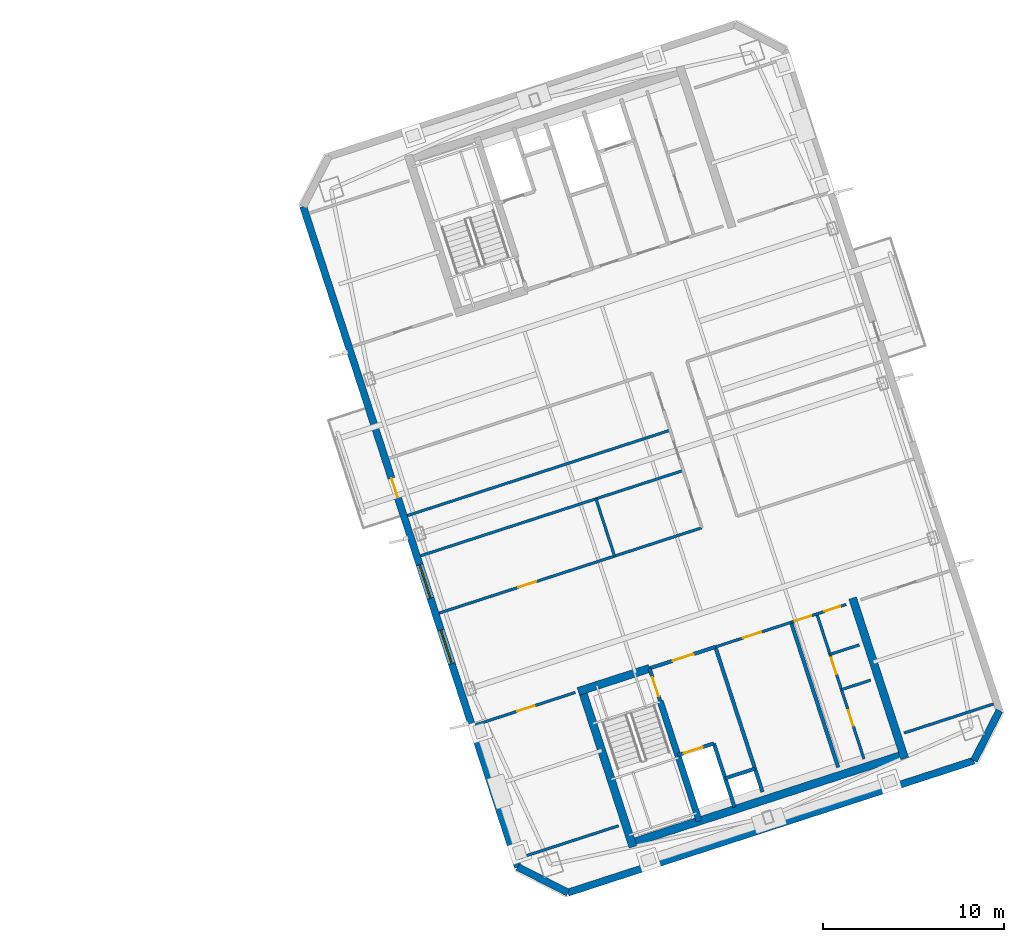
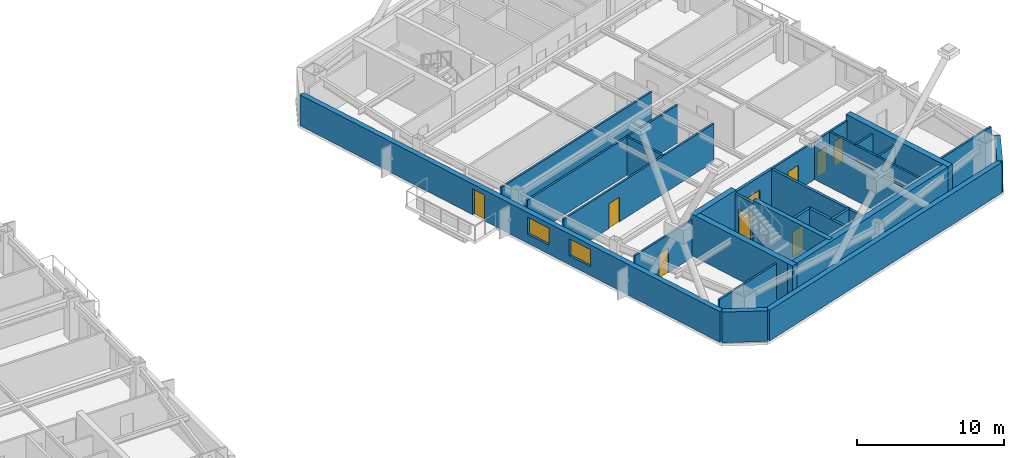
# One storey, part 9 of 18: 28 walls, 11 doors, 2 windows, 13 openings.
"""IFC4 building model written with IfcOpenShell, lengths in metres."""

from ifc_helpers import new_model, si_unit, direction, frame, frame_2d, origin, place, context, subcontext, project, spatial, rectangle, extrude, material, layer, layer_set, type_object, element, fill, save


model = new_model("IFC4")

# Units and contexts
model_context = context("Model", 3, precision=1e-05, world=origin(), true_north=direction((0.0, 1.0)))
body_context = subcontext(model_context, "Body", "Model", "MODEL_VIEW")
ifc_project = project(units=[si_unit("LENGTHUNIT", "METRE"), si_unit("AREAUNIT", "SQUARE_METRE"), si_unit("VOLUMEUNIT", "CUBIC_METRE"), si_unit("PLANEANGLEUNIT", "RADIAN"), si_unit("MASSUNIT", "GRAM", prefix="KILO")], contexts=[model_context])

# Site, building, storey
site_placement = place(None, origin())
site = spatial("IfcSite", under=ifc_project, at=site_placement, CompositionType="ELEMENT")
building_placement = place(site_placement, origin())
building = spatial("IfcBuilding", under=site, at=building_placement, Name="Qiaolan Cultural Towers", CompositionType="ELEMENT")
storey_placement = place(building_placement, frame((0.0, 0.0, 226.550048828125)))
storey = spatial("IfcBuildingStorey", under=building, at=storey_placement, Name="L61", CompositionType="ELEMENT", Elevation=226.550048828125)

# Walls
ifc_material_1 = material(Name="Concrete C50", Category="concrete")
ifc_layer_1 = layer(ifc_material_1, 0.35009765625)
ifc_layer_set_1 = layer_set([ifc_layer_1], Name="Concrete C50")
wall_type_1 = type_object("IfcWallType", Name="WL-CORE-350", PredefinedType="SHEAR", material=ifc_layer_set_1)
wall_1_placement = place(storey_placement, frame((90.486328125, 20.59423828125, 0.0), z_axis=(0.0, 0.0, 1.0), x_axis=(0.309020428229, -0.951055400562, 0.0)))
element("IfcWall", 1, at=wall_1_placement, inside=storey, type_object=wall_type_1, Name="L61 T2-CS Stair Core Dividing Web", PredefinedType="SHEAR", context=body_context, shape_type="SweptSolid", body=[
    extrude(rectangle(XDim=6.97998046875, YDim=0.35009765625, at=frame_2d((3.489990234375, 0.0))), origin(), (0.0, 0.0, 1.0), 3.449951171875),
])
ifc_material_2 = material(Name="Concrete C50", Category="concrete")
ifc_layer_2 = layer(ifc_material_2, 0.449951171875)
ifc_layer_set_2 = layer_set([ifc_layer_2], Name="Concrete C50")
wall_type_2 = type_object("IfcWallType", Name="WL-CORE-450", PredefinedType="SHEAR", material=ifc_layer_set_2)
wall_2_placement = place(storey_placement, frame((88.701171875, 12.675048828125, 0.0), z_axis=(0.0, 0.0, 1.0), x_axis=(0.95105824505, 0.309011673763, 0.0)))
element("IfcWall", 2, at=wall_2_placement, inside=storey, type_object=wall_type_2, Name="L61 T2-CS Outer Core Shear Wall", PredefinedType="SHEAR", context=body_context, shape_type="SweptSolid", body=[
    extrude(rectangle(XDim=16.250244140625, YDim=0.449951171875, at=frame_2d((8.125, 0.0))), origin(), (0.0, 0.0, 1.0), 3.449951171875),
])
for number, where, z_axis, x_axis, name in (
    (3, (86.1015625, 21.40380859375, 0.0), (0.0, 0.0, 1.0), (0.309035778627, -0.951050412717, 0.0), "L61 T2-CS West Core Shear Wall"),
    (4, (101.12841796875, 26.286376953125, 0.0), (0.0, 0.0, 1.0), (0.309004419953, -0.951060601881, 0.0), "L61 T2-CS East Core Shear Wall"),
):
    element("IfcWall", number, at=place(storey_placement, frame(where, z_axis=z_axis, x_axis=x_axis)), inside=storey, type_object=wall_type_2, Name=name, PredefinedType="SHEAR", context=body_context, shape_type="SweptSolid", body=[
        extrude(rectangle(XDim=9.330078125, YDim=0.449951171875, at=frame_2d((4.6650390625, 0.0))), origin(), (0.0, 0.0, 1.0), 3.449951171875),
    ])
wall_3_placement = place(storey_placement, frame((85.957275390625, 21.120361328125, 0.0), z_axis=(0.0, 0.0, 1.0), x_axis=(0.951064796122, 0.308991510526, 0.0)))
element("IfcWall", 5, at=wall_3_placement, inside=storey, type_object=wall_type_2, Name="L61 T2-CS Stair Front Shear Wall", PredefinedType="SHEAR", context=body_context, shape_type="SweptSolid", body=[
    extrude(rectangle(XDim=4.14501953125, YDim=0.449951171875, at=frame_2d((2.072509765625, 0.0))), origin(), (0.0, 0.0, 1.0), 3.449951171875),
])

# Wall, openings, door, windows
ifc_material_3 = material(Name="Precast Concrete C50 Honed Stone Pier", Category="masonry")
ifc_layer_3 = layer(ifc_material_3, 0.39990234375)
ifc_layer_set_3 = layer_set([ifc_layer_3], Name="Precast Concrete C50 Honed Stone Pier")
wall_type_3 = type_object("IfcWallType", Name="WL-EXT-PIER-400", PredefinedType="SOLIDWALL", material=ifc_layer_set_3)
wall_4_placement = place(storey_placement, frame((82.618408203125, 11.41357421875, 0.0), z_axis=(0.0, 0.0, 1.0), x_axis=(-0.309016491071, 0.951056679828, 0.0)))
wall_4 = element("IfcWall", 6, at=wall_4_placement, inside=storey, type_object=wall_type_3, Name="L61 East Tower Precast Pier Facade Wall F1", PredefinedType="SOLIDWALL", context=body_context, shape_type="SweptSolid", body=[
    extrude(rectangle(XDim=38.39990234375, YDim=0.39990234375, at=frame_2d((19.199951171875, 0.0))), origin(), (0.0, 0.0, 1.0), 2.550048828125),
])
opening_1_placement = place(wall_4_placement, frame((11.824951171875, 0.0, 0.75)))
opening_1 = element("IfcOpeningElement", 7, at=opening_1_placement, cuts=wall_4, Name="Opening W-06", PredefinedType="OPENING", context=body_context, shape_type="SweptSolid", body=[
    extrude(rectangle(XDim=1.949951171875, YDim=1.39990234375, at=frame_2d((0.97509765625, 0.699951171875))), frame((0.0, 0.2099609375, 0.0), z_axis=(0.0, -1.0, 0.0), x_axis=(1.0, 0.0, 0.0)), (0.0, 0.0, 1.0), 0.419921875),
])
opening_2_placement = place(wall_4_placement, frame((15.625, 0.0, 0.75)))
opening_2 = element("IfcOpeningElement", 8, at=opening_2_placement, cuts=wall_4, Name="Opening W-06", PredefinedType="OPENING", context=body_context, shape_type="SweptSolid", body=[
    extrude(rectangle(XDim=1.949951171875, YDim=1.39990234375, at=frame_2d((0.97509765625, 0.699951171875))), frame((0.0, 0.2099609375, 0.0), z_axis=(0.0, -1.0, 0.0), x_axis=(1.0, 0.0, 0.0)), (0.0, 0.0, 1.0), 0.419921875),
])
opening_3_placement = place(wall_4_placement, frame((21.5, 0.0, 0.0)))
opening_3 = element("IfcOpeningElement", 9, at=opening_3_placement, cuts=wall_4, Name="Opening BD-01", PredefinedType="OPENING", context=body_context, shape_type="SweptSolid", body=[
    extrude(rectangle(XDim=1.10009765625, YDim=2.14990234375, at=frame_2d((0.550048828125, 1.074951171875))), frame((0.0, 0.2099609375, 0.0), z_axis=(0.0, -1.0, 0.0), x_axis=(1.0, 0.0, 0.0)), (0.0, 0.0, 1.0), 0.419921875),
])
ifc_material_4 = material(Name="Thermally Broken Aluminium Glazed Terrace Door", Category="aluminium")
door_type_1 = type_object("IfcDoorType", Name="DR-BAL-1100", OperationType="NOTDEFINED", PredefinedType="DOOR", material=ifc_material_4)
door_1_placement = place(opening_3_placement, origin())
door_1 = element("IfcDoor", 10, at=door_1_placement, inside=storey, type_object=door_type_1, Name="L61 T2 West Tree Balcony Door", OperationType="SINGLE_SWING_LEFT", OverallHeight=2.14990234375, OverallWidth=1.10009765625, PredefinedType="DOOR", context=body_context, shape_type="SweptSolid", body=[
    extrude(rectangle(XDim=1.10009765625, YDim=2.14990234375, at=frame_2d((0.550048828125, 1.074951171875))), frame((0.0, 0.02490234375, 0.0), z_axis=(0.0, -1.0, 0.0), x_axis=(1.0, 0.0, 0.0)), (0.0, 0.0, 1.0), 0.050048828125),
])
fill(opening_3, door_1)
ifc_material_5 = material(Name="Thermally Broken Aluminium Triple Low-E Glazing", Category="aluminium")
window_type = type_object("IfcWindowType", Name="WN-CHIC-1950", PartitioningType="SINGLE_PANEL", PredefinedType="WINDOW", material=ifc_material_5)
window_1_placement = place(opening_1_placement, origin())
window_1 = element("IfcWindow", 11, at=window_1_placement, inside=storey, type_object=window_type, Name="L61 T2 W Chicago Bay Window 1", OverallHeight=1.39990234375, OverallWidth=1.949951171875, PartitioningType="TRIPLE_PANEL_VERTICAL", PredefinedType="WINDOW", context=body_context, shape_type="SweptSolid", body=[
    extrude(rectangle(XDim=1.949951171875, YDim=1.39990234375, at=frame_2d((0.97509765625, 0.699951171875))), frame((0.0, 0.030029296875, 0.0), z_axis=(0.0, -1.0, 0.0), x_axis=(1.0, 0.0, 0.0)), (0.0, 0.0, 1.0), 0.06005859375),
])
fill(opening_1, window_1)
window_2_placement = place(opening_2_placement, origin())
window_2 = element("IfcWindow", 12, at=window_2_placement, inside=storey, type_object=window_type, Name="L61 T2 W Chicago Bay Window 2", OverallHeight=1.39990234375, OverallWidth=1.949951171875, PartitioningType="TRIPLE_PANEL_VERTICAL", PredefinedType="WINDOW", context=body_context, shape_type="SweptSolid", body=[
    extrude(rectangle(XDim=1.949951171875, YDim=1.39990234375, at=frame_2d((0.97509765625, 0.699951171875))), frame((0.0, 0.030029296875, 0.0), z_axis=(0.0, -1.0, 0.0), x_axis=(1.0, 0.0, 0.0)), (0.0, 0.0, 1.0), 0.06005859375),
])
fill(opening_2, window_2)

# Walls
wall_5_placement = place(storey_placement, frame((109.247802734375, 20.06591796875, 0.0), z_axis=(0.0, 0.0, 1.0), x_axis=(-0.453949291228, -0.891027519774, 0.0)))
element("IfcWall", 13, at=wall_5_placement, inside=storey, type_object=wall_type_3, Name="L61 East Tower Precast Pier Facade Wall F6", PredefinedType="SOLIDWALL", context=body_context, shape_type="SweptSolid", body=[
    extrude(rectangle(XDim=3.111328125, YDim=0.39990234375, at=frame_2d((1.5556640625, 0.0))), origin(), (0.0, 0.0, 1.0), 2.550048828125),
])
wall_6_placement = place(storey_placement, frame((107.83544921875, 17.293701171875, 0.0), z_axis=(0.0, 0.0, 1.0), x_axis=(-0.951058012937, -0.309012388148, 0.0)))
element("IfcWall", 14, at=wall_6_placement, inside=storey, type_object=wall_type_3, Name="L61 East Tower Precast Pier Facade Wall F7", PredefinedType="SOLIDWALL", context=body_context, shape_type="SweptSolid", body=[
    extrude(rectangle(XDim=23.60009765625, YDim=0.39990234375, at=frame_2d((11.800048828125, 0.0))), origin(), (0.0, 0.0, 1.0), 2.550048828125),
])
wall_7_placement = place(storey_placement, frame((85.390380859375, 10.0009765625, 0.0), z_axis=(0.0, 0.0, 1.0), x_axis=(-0.890979603174, 0.454043331334, 0.0)))
element("IfcWall", 15, at=wall_7_placement, inside=storey, type_object=wall_type_3, Name="L61 East Tower Precast Pier Facade Wall F8", PredefinedType="SOLIDWALL", context=body_context, shape_type="SweptSolid", body=[
    extrude(rectangle(XDim=3.111083984375, YDim=0.39990234375, at=frame_2d((1.5556640625, 0.0))), origin(), (0.0, 0.0, 1.0), 2.550048828125),
])

# Wall, opening, door
ifc_material_6 = material(Name="Concrete C35 Fire Wall", Category="concrete")
ifc_layer_4 = layer(ifc_material_6, 0.199951171875)
ifc_layer_set_4 = layer_set([ifc_layer_4], Name="Concrete C35 Fire Wall")
wall_type_4 = type_object("IfcWallType", Name="WL-FIRE-200", PredefinedType="PARTITIONING", material=ifc_layer_set_4)
wall_8_placement = place(storey_placement, frame((89.8994140625, 22.401123046875, 0.0), z_axis=(0.0, 0.0, 1.0), x_axis=(0.308932062672, -0.951084108086, 0.0)))
wall_8 = element("IfcWall", 16, at=wall_8_placement, inside=storey, type_object=wall_type_4, Name="L61 T2-CS Smokeproof Stair Entry Wall", PredefinedType="PARTITIONING", context=body_context, shape_type="SweptSolid", body=[
    extrude(rectangle(XDim=1.89990234375, YDim=0.199951171875, at=frame_2d((0.949951171875, 0.0))), origin(), (0.0, 0.0, 1.0), 3.155029296875),
])
opening_4_placement = place(wall_8_placement, frame((0.52001953125, 0.0, 0.0)))
opening_4 = element("IfcOpeningElement", 17, at=opening_4_placement, cuts=wall_8, Name="Opening FD-04", PredefinedType="OPENING", context=body_context, shape_type="SweptSolid", body=[
    extrude(rectangle(XDim=1.10009765625, YDim=2.050048828125, at=frame_2d((0.550048828125, 1.02490234375))), frame((0.0, 0.10986328125, 0.0), z_axis=(0.0, -1.0, 0.0), x_axis=(1.0, 0.0, 0.0)), (0.0, 0.0, 1.0), 0.219970703125),
])
ifc_material_7 = material(Name="Galvanized Steel Command Fire Door", Category="steel")
door_type_2 = type_object("IfcDoorType", Name="DR-FD90-1100", OperationType="NOTDEFINED", PredefinedType="DOOR", material=ifc_material_7)
door_2_placement = place(opening_4_placement, origin())
door_2 = element("IfcDoor", 18, at=door_2_placement, inside=storey, type_object=door_type_2, Name="L61 ST-E1 Smokeproof Stair Fire Door", OperationType="SINGLE_SWING_LEFT", OverallHeight=2.050048828125, OverallWidth=1.10009765625, PredefinedType="DOOR", context=body_context, shape_type="SweptSolid", body=[
    extrude(rectangle(XDim=1.10009765625, YDim=2.050048828125, at=frame_2d((0.550048828125, 1.02490234375))), frame((0.0, 0.02490234375, 0.0), z_axis=(0.0, -1.0, 0.0), x_axis=(1.0, 0.0, 0.0)), (0.0, 0.0, 1.0), 0.050048828125),
])
fill(opening_4, door_2)

# Wall
wall_9_placement = place(storey_placement, frame((93.541748046875, 23.584716796875, 0.0), z_axis=(0.0, 0.0, 1.0), x_axis=(0.309042196757, -0.951048327176, 0.0)))
element("IfcWall", 19, at=wall_9_placement, inside=storey, type_object=wall_type_4, Name="L61 T2-CS Firefighting Zone Wall", PredefinedType="PARTITIONING", context=body_context, shape_type="SweptSolid", body=[
    extrude(rectangle(XDim=8.429931640625, YDim=0.199951171875, at=frame_2d((4.21484375, 0.0))), origin(), (0.0, 0.0, 1.0), 3.155029296875),
])

# Wall, opening, door
wall_10_placement = place(storey_placement, frame((89.8994140625, 22.401123046875, 0.0), z_axis=(0.0, 0.0, 1.0), x_axis=(0.951046716504, 0.309047153403, 0.0)))
wall_10 = element("IfcWall", 20, at=wall_10_placement, inside=storey, type_object=wall_type_4, Name="L61 T2-CS Firefighting Lobby Front Wall", PredefinedType="PARTITIONING", context=body_context, shape_type="SweptSolid", body=[
    extrude(rectangle(XDim=3.829833984375, YDim=0.199951171875, at=frame_2d((1.9150390625, 0.0))), origin(), (0.0, 0.0, 1.0), 3.155029296875),
])
opening_5_placement = place(wall_10_placement, frame((1.35009765625, 0.0, 0.0)))
opening_5 = element("IfcOpeningElement", 21, at=opening_5_placement, cuts=wall_10, Name="Opening FD-03", PredefinedType="OPENING", context=body_context, shape_type="SweptSolid", body=[
    extrude(rectangle(XDim=1.199951171875, YDim=2.050048828125, at=frame_2d((0.60009765625, 1.02490234375))), frame((0.0, 0.10986328125, 0.0), z_axis=(0.0, -1.0, 0.0), x_axis=(1.0, 0.0, 0.0)), (0.0, 0.0, 1.0), 0.219970703125),
])
ifc_material_8 = material(Name="Galvanized Steel Smokeproof Lobby Fire Door", Category="steel")
door_type_3 = type_object("IfcDoorType", Name="DR-FD90-1200", OperationType="NOTDEFINED", PredefinedType="DOOR", material=ifc_material_8)
door_3_placement = place(opening_5_placement, origin())
door_3 = element("IfcDoor", 22, at=door_3_placement, inside=storey, type_object=door_type_3, Name="L61 FFL-E1 Firefighting Lobby Fire Door", OperationType="SINGLE_SWING_LEFT", OverallHeight=2.050048828125, OverallWidth=1.199951171875, PredefinedType="DOOR", context=body_context, shape_type="SweptSolid", body=[
    extrude(rectangle(XDim=1.199951171875, YDim=2.050048828125, at=frame_2d((0.60009765625, 1.02490234375))), frame((0.0, 0.02490234375, 0.0), z_axis=(0.0, -1.0, 0.0), x_axis=(1.0, 0.0, 0.0)), (0.0, 0.0, 1.0), 0.050048828125),
])
fill(opening_5, door_3)

wall_11_placement = place(storey_placement, frame((91.459716796875, 17.598388671875, 0.0), z_axis=(0.0, 0.0, 1.0), x_axis=(0.951062257173, 0.308999325213, 0.0)))
wall_11 = element("IfcWall", 23, at=wall_11_placement, inside=storey, type_object=wall_type_4, Name="L61 T2-CS Firefighting Shaft Front Wall", PredefinedType="PARTITIONING", context=body_context, shape_type="SweptSolid", body=[
    extrude(rectangle(XDim=2.10009765625, YDim=0.199951171875, at=frame_2d((1.050048828125, 0.0))), origin(), (0.0, 0.0, 1.0), 3.155029296875),
])
opening_6_placement = place(wall_11_placement, frame((0.35009765625, 0.0, 0.0)))
opening_6 = element("IfcOpeningElement", 24, at=opening_6_placement, cuts=wall_11, Name="Opening LD-01", PredefinedType="OPENING", context=body_context, shape_type="SweptSolid", body=[
    extrude(rectangle(XDim=1.10009765625, YDim=2.050048828125, at=frame_2d((0.550048828125, 1.02490234375))), frame((0.0, 0.10986328125, 0.0), z_axis=(0.0, -1.0, 0.0), x_axis=(1.0, 0.0, 0.0)), (0.0, 0.0, 1.0), 0.219970703125),
])
ifc_material_9 = material(Name="Brushed Stainless Steel S30408 Centre-Parting Lift Landing Door", Category="steel")
door_type_4 = type_object("IfcDoorType", Name="DR-LIFT-1100", OperationType="NOTDEFINED", PredefinedType="DOOR", material=ifc_material_9)
door_4_placement = place(opening_6_placement, origin())
door_4 = element("IfcDoor", 25, at=door_4_placement, inside=storey, type_object=door_type_4, Name="L61 FFL-E1 Firefighting Lift Landing Door", OperationType="DOUBLE_DOOR_SLIDING", OverallHeight=2.050048828125, OverallWidth=1.10009765625, PredefinedType="DOOR", context=body_context, shape_type="SweptSolid", body=[
    extrude(rectangle(XDim=1.10009765625, YDim=2.050048828125, at=frame_2d((0.550048828125, 1.02490234375))), frame((0.0, 0.02490234375, 0.0), z_axis=(0.0, -1.0, 0.0), x_axis=(1.0, 0.0, 0.0)), (0.0, 0.0, 1.0), 0.050048828125),
])
fill(opening_6, door_4)

# Walls
wall_12_placement = place(storey_placement, frame((93.45703125, 18.247314453125, 0.0), z_axis=(0.0, 0.0, 1.0), x_axis=(0.3089935693, -0.951064127245, 0.0)))
element("IfcWall", 26, at=wall_12_placement, inside=storey, type_object=wall_type_4, Name="L61 T2-CS Firefighting Hoistway East Wall", PredefinedType="PARTITIONING", context=body_context, shape_type="SweptSolid", body=[
    extrude(rectangle(XDim=3.7001953125, YDim=0.199951171875, at=frame_2d((1.85009765625, 0.0))), origin(), (0.0, 0.0, 1.0), 3.155029296875),
])
wall_13_placement = place(storey_placement, frame((94.08447265625, 16.316650390625, 0.0), z_axis=(0.0, 0.0, 1.0), x_axis=(0.951041328149, 0.309063734775, 0.0)))
element("IfcWall", 27, at=wall_13_placement, inside=storey, type_object=wall_type_4, Name="L61 T2-CS Pressurization Shaft Front Wall", PredefinedType="PARTITIONING", context=body_context, shape_type="SweptSolid", body=[
    extrude(rectangle(XDim=1.72998046875, YDim=0.199951171875, at=frame_2d((0.864990234375, 0.0))), origin(), (0.0, 0.0, 1.0), 3.155029296875),
])
wall_14_placement = place(storey_placement, frame((97.7265625, 24.9443359375, 0.0), z_axis=(0.0, 0.0, 1.0), x_axis=(0.309016001439, -0.951056838919, 0.0)))
element("IfcWall", 28, at=wall_14_placement, inside=storey, type_object=wall_type_4, Name="L61 T2-CS Lift Core East Wall", PredefinedType="PARTITIONING", context=body_context, shape_type="SweptSolid", body=[
    extrude(rectangle(XDim=8.429931640625, YDim=0.199951171875, at=frame_2d((4.21484375, 0.0))), origin(), (0.0, 0.0, 1.0), 3.155029296875),
])

# Wall, opening, door
ifc_material_10 = material(Name="Autoclaved Aerated Concrete Block B06", Category="concrete")
ifc_layer_5 = layer(ifc_material_10, 0.14990234375)
ifc_layer_set_5 = layer_set([ifc_layer_5], Name="Autoclaved Aerated Concrete Block B06")
wall_type_5 = type_object("IfcWallType", Name="WL-PART-150", PredefinedType="PARTITIONING", material=ifc_layer_set_5)
wall_15_placement = place(storey_placement, frame((93.541748046875, 23.584716796875, 0.0), z_axis=(0.0, 0.0, 1.0), x_axis=(0.951063829732, 0.308994485023, 0.0)))
wall_15 = element("IfcWall", 29, at=wall_15_placement, inside=storey, type_object=wall_type_5, Name="L61 T2-CS Reclaimed Core Room Front Wall", PredefinedType="PARTITIONING", context=body_context, shape_type="SweptSolid", body=[
    extrude(rectangle(XDim=4.400146484375, YDim=0.14990234375, at=frame_2d((2.2001953125, 0.0))), origin(), (0.0, 0.0, 1.0), 3.155029296875),
])
opening_7_placement = place(wall_15_placement, frame((1.60009765625, 0.0, 0.0)))
opening_7 = element("IfcOpeningElement", 30, at=opening_7_placement, cuts=wall_15, Name="Opening ID-07", PredefinedType="OPENING", context=body_context, shape_type="SweptSolid", body=[
    extrude(rectangle(XDim=1.050048828125, YDim=2.050048828125, at=frame_2d((0.52490234375, 1.02490234375))), frame((0.0, 0.0849609375, 0.0), z_axis=(0.0, -1.0, 0.0), x_axis=(1.0, 0.0, 0.0)), (0.0, 0.0, 1.0), 0.169921875),
])
ifc_material_11 = material(Name="Oak Veneer Consultation Door", Category="timber")
door_type_5 = type_object("IfcDoorType", Name="DR-INT-1050", OperationType="NOTDEFINED", PredefinedType="DOOR", material=ifc_material_11)
door_5_placement = place(opening_7_placement, origin())
door_5 = element("IfcDoor", 31, at=door_5_placement, inside=storey, type_object=door_type_5, Name="L61 Reclaimed Archive Room Door", OperationType="SINGLE_SWING_LEFT", OverallHeight=2.050048828125, OverallWidth=1.050048828125, PredefinedType="DOOR", context=body_context, shape_type="SweptSolid", body=[
    extrude(rectangle(XDim=1.050048828125, YDim=2.050048828125, at=frame_2d((0.52490234375, 1.02490234375))), frame((0.0, 0.02490234375, 0.0), z_axis=(0.0, -1.0, 0.0), x_axis=(1.0, 0.0, 0.0)), (0.0, 0.0, 1.0), 0.050048828125),
])
fill(opening_7, door_5)

# Wall, openings, doors
wall_16_placement = place(storey_placement, frame((97.7265625, 24.9443359375, 0.0), z_axis=(0.0, 0.0, 1.0), x_axis=(0.951036872128, 0.309077446369, 0.0)))
wall_16 = element("IfcWall", 32, at=wall_16_placement, inside=storey, type_object=wall_type_5, Name="L61 T2-CS Sanitary Core Front Wall", PredefinedType="PARTITIONING", context=body_context, shape_type="SweptSolid", body=[
    extrude(rectangle(XDim=3.199951171875, YDim=0.14990234375, at=frame_2d((1.60009765625, 0.0))), origin(), (0.0, 0.0, 1.0), 3.155029296875),
])
opening_8_placement = place(wall_16_placement, frame((0.219970703125, 0.0, 0.0)))
opening_8 = element("IfcOpeningElement", 33, at=opening_8_placement, cuts=wall_16, Name="Opening ID-05", PredefinedType="OPENING", context=body_context, shape_type="SweptSolid", body=[
    extrude(rectangle(XDim=0.949951171875, YDim=2.050048828125, at=frame_2d((0.47509765625, 1.02490234375))), frame((0.0, 0.0849609375, 0.0), z_axis=(0.0, -1.0, 0.0), x_axis=(1.0, 0.0, 0.0)), (0.0, 0.0, 1.0), 0.169921875),
])
opening_9_placement = place(wall_16_placement, frame((1.949951171875, 0.0, 0.0)))
opening_9 = element("IfcOpeningElement", 34, at=opening_9_placement, cuts=wall_16, Name="Opening ID-06", PredefinedType="OPENING", context=body_context, shape_type="SweptSolid", body=[
    extrude(rectangle(XDim=0.89990234375, YDim=2.050048828125, at=frame_2d((0.449951171875, 1.02490234375))), frame((0.0, 0.0849609375, 0.0), z_axis=(0.0, -1.0, 0.0), x_axis=(1.0, 0.0, 0.0)), (0.0, 0.0, 1.0), 0.169921875),
])
ifc_material_12 = material(Name="Fire-Rated Laminate Core Service Door", Category="timber")
door_type_6 = type_object("IfcDoorType", Name="DR-INT-900", OperationType="NOTDEFINED", PredefinedType="DOOR", material=ifc_material_12)
door_6_placement = place(opening_9_placement, origin())
door_6 = element("IfcDoor", 35, at=door_6_placement, inside=storey, type_object=door_type_6, Name="L61 Core Tea Pantry Door", OperationType="SINGLE_SWING_RIGHT", OverallHeight=2.050048828125, OverallWidth=0.89990234375, PredefinedType="DOOR", context=body_context, shape_type="SweptSolid", body=[
    extrude(rectangle(XDim=0.89990234375, YDim=2.050048828125, at=frame_2d((0.449951171875, 1.02490234375))), frame((0.0, 0.02490234375, 0.0), z_axis=(0.0, -1.0, 0.0), x_axis=(1.0, 0.0, 0.0)), (0.0, 0.0, 1.0), 0.050048828125),
])
fill(opening_9, door_6)
ifc_material_13 = material(Name="Fire-Rated Laminate Accessible Core Door", Category="timber")
door_type_7 = type_object("IfcDoorType", Name="DR-INT-950", OperationType="NOTDEFINED", PredefinedType="DOOR", material=ifc_material_13)
door_7_placement = place(opening_8_placement, origin())
door_7 = element("IfcDoor", 36, at=door_7_placement, inside=storey, type_object=door_type_7, Name="L61 Sanitary Passage Door", OperationType="SINGLE_SWING_LEFT", OverallHeight=2.050048828125, OverallWidth=0.949951171875, PredefinedType="DOOR", context=body_context, shape_type="SweptSolid", body=[
    extrude(rectangle(XDim=0.949951171875, YDim=2.050048828125, at=frame_2d((0.47509765625, 1.02490234375))), frame((0.0, 0.02490234375, 0.0), z_axis=(0.0, -1.0, 0.0), x_axis=(1.0, 0.0, 0.0)), (0.0, 0.0, 1.0), 0.050048828125),
])
fill(opening_8, door_7)

wall_17_placement = place(storey_placement, frame((99.153076171875, 25.407958984375, 0.0), z_axis=(0.0, 0.0, 1.0), x_axis=(0.309016001439, -0.951056838919, 0.0)))
wall_17 = element("IfcWall", 37, at=wall_17_placement, inside=storey, type_object=wall_type_5, Name="L61 T2-CS Sanitary Corridor Wall", PredefinedType="PARTITIONING", context=body_context, shape_type="SweptSolid", body=[
    extrude(rectangle(XDim=8.429931640625, YDim=0.14990234375, at=frame_2d((4.21484375, 0.0))), origin(), (0.0, 0.0, 1.0), 3.155029296875),
])
opening_10_placement = place(wall_17_placement, frame((2.550048828125, 0.0, 0.0)))
opening_10 = element("IfcOpeningElement", 38, at=opening_10_placement, cuts=wall_17, Name="Opening ID-05", PredefinedType="OPENING", context=body_context, shape_type="SweptSolid", body=[
    extrude(rectangle(XDim=0.949951171875, YDim=2.050048828125, at=frame_2d((0.47509765625, 1.02490234375))), frame((0.0, 0.0849609375, 0.0), z_axis=(0.0, -1.0, 0.0), x_axis=(1.0, 0.0, 0.0)), (0.0, 0.0, 1.0), 0.169921875),
])
opening_11_placement = place(wall_17_placement, frame((5.60009765625, 0.0, 0.0)))
opening_11 = element("IfcOpeningElement", 39, at=opening_11_placement, cuts=wall_17, Name="Opening ID-06", PredefinedType="OPENING", context=body_context, shape_type="SweptSolid", body=[
    extrude(rectangle(XDim=0.89990234375, YDim=2.050048828125, at=frame_2d((0.449951171875, 1.02490234375))), frame((0.0, 0.0849609375, 0.0), z_axis=(0.0, -1.0, 0.0), x_axis=(1.0, 0.0, 0.0)), (0.0, 0.0, 1.0), 0.169921875),
])
door_8_placement = place(opening_11_placement, origin())
door_8 = element("IfcDoor", 40, at=door_8_placement, inside=storey, type_object=door_type_6, Name="L61 Staff Restroom Door", OperationType="SINGLE_SWING_RIGHT", OverallHeight=2.050048828125, OverallWidth=0.89990234375, PredefinedType="DOOR", context=body_context, shape_type="SweptSolid", body=[
    extrude(rectangle(XDim=0.89990234375, YDim=2.050048828125, at=frame_2d((0.449951171875, 1.02490234375))), frame((0.0, 0.02490234375, 0.0), z_axis=(0.0, -1.0, 0.0), x_axis=(1.0, 0.0, 0.0)), (0.0, 0.0, 1.0), 0.050048828125),
])
fill(opening_11, door_8)
door_9_placement = place(opening_10_placement, origin())
door_9 = element("IfcDoor", 41, at=door_9_placement, inside=storey, type_object=door_type_7, Name="L61 Accessible Washroom Door", OperationType="SINGLE_SWING_LEFT", OverallHeight=2.050048828125, OverallWidth=0.949951171875, PredefinedType="DOOR", context=body_context, shape_type="SweptSolid", body=[
    extrude(rectangle(XDim=0.949951171875, YDim=2.050048828125, at=frame_2d((0.47509765625, 1.02490234375))), frame((0.0, 0.02490234375, 0.0), z_axis=(0.0, -1.0, 0.0), x_axis=(1.0, 0.0, 0.0)), (0.0, 0.0, 1.0), 0.050048828125),
])
fill(opening_10, door_9)

# Walls
for number, where, z_axis, x_axis, name in (
    (42, (100.5126953125, 21.223388671875, 0.0), (0.0, 0.0, 1.0), (0.951096313471, 0.308894484414, 0.0), "L61 T2-CS Restroom Split Wall"),
    (43, (99.879150390625, 23.1728515625, 0.0), (0.0, 0.0, 1.0), (0.951054116971, 0.309024378638, 0.0), "L61 T2-CS Core Pantry Wall"),
):
    element("IfcWall", number, at=place(storey_placement, frame(where, z_axis=z_axis, x_axis=x_axis)), inside=storey, type_object=wall_type_5, Name=name, PredefinedType="PARTITIONING", context=body_context, shape_type="SweptSolid", body=[
        extrude(rectangle(XDim=1.7001953125, YDim=0.14990234375, at=frame_2d((0.85009765625, 0.0))), origin(), (0.0, 0.0, 1.0), 3.155029296875),
    ])
wall_18_placement = place(storey_placement, frame((82.66943359375, 11.9033203125, 0.0), z_axis=(0.0, 0.0, 1.0), x_axis=(0.951059431056, 0.309008023519, 0.0)))
element("IfcWall", 44, at=wall_18_placement, inside=storey, type_object=wall_type_5, Name="L61 T2 Flank Wall FLK-SW", PredefinedType="PARTITIONING", context=body_context, shape_type="SweptSolid", body=[
    extrude(rectangle(XDim=5.800048828125, YDim=0.14990234375, at=frame_2d((2.89990234375, 0.0))), origin(), (0.0, 0.0, 1.0), 3.155029296875),
])

# Wall, opening, door
wall_19_placement = place(storey_placement, frame((80.274658203125, 19.27392578125, 0.0), z_axis=(0.0, 0.0, 1.0), x_axis=(0.951059431056, 0.309008023519, 0.0)))
wall_19 = element("IfcWall", 45, at=wall_19_placement, inside=storey, type_object=wall_type_5, Name="L61 T2 Flank Front FLK-SW", PredefinedType="PARTITIONING", context=body_context, shape_type="SweptSolid", body=[
    extrude(rectangle(XDim=5.800048828125, YDim=0.14990234375, at=frame_2d((2.89990234375, 0.0))), origin(), (0.0, 0.0, 1.0), 3.155029296875),
])
opening_12_placement = place(wall_19_placement, frame((2.43603515625, 0.0, 0.0)))
opening_12 = element("IfcOpeningElement", 46, at=opening_12_placement, cuts=wall_19, Name="Opening ID-04", PredefinedType="OPENING", context=body_context, shape_type="SweptSolid", body=[
    extrude(rectangle(XDim=1.0, YDim=2.050048828125, at=frame_2d((0.5, 1.02490234375))), frame((0.0, 0.0849609375, 0.0), z_axis=(0.0, -1.0, 0.0), x_axis=(1.0, 0.0, 0.0)), (0.0, 0.0, 1.0), 0.169921875),
])
ifc_material_14 = material(Name="Oak Veneer Acoustic Office Door", Category="timber")
door_type_8 = type_object("IfcDoorType", Name="DR-INT-1000", OperationType="NOTDEFINED", PredefinedType="DOOR", material=ifc_material_14)
door_10_placement = place(opening_12_placement, origin())
door_10 = element("IfcDoor", 47, at=door_10_placement, inside=storey, type_object=door_type_8, Name="L61 T2 Corner Studio Door", OperationType="SINGLE_SWING_LEFT", OverallHeight=2.050048828125, OverallWidth=1.0, PredefinedType="DOOR", context=body_context, shape_type="SweptSolid", body=[
    extrude(rectangle(XDim=1.0, YDim=2.050048828125, at=frame_2d((0.5, 1.02490234375))), frame((0.0, 0.02490234375, 0.0), z_axis=(0.0, -1.0, 0.0), x_axis=(1.0, 0.0, 0.0)), (0.0, 0.0, 1.0), 0.050048828125),
])
fill(opening_12, door_10)

# Wall
wall_20_placement = place(storey_placement, frame((103.97314453125, 18.8251953125, 0.0), z_axis=(0.0, 0.0, 1.0), x_axis=(0.951055112834, 0.309021313752, 0.0)))
element("IfcWall", 48, at=wall_20_placement, inside=storey, type_object=wall_type_5, Name="L61 T2 Flank Wall FLK-SE", PredefinedType="PARTITIONING", context=body_context, shape_type="SweptSolid", body=[
    extrude(rectangle(XDim=5.2001953125, YDim=0.14990234375, at=frame_2d((2.60009765625, 0.0))), origin(), (0.0, 0.0, 1.0), 3.155029296875),
])

# Wall, opening, door
wall_21_placement = place(storey_placement, frame((78.26611328125, 25.455810546875, 0.0), z_axis=(0.0, 0.0, 1.0), x_axis=(0.951056617779, 0.30901668204, 0.0)))
wall_21 = element("IfcWall", 49, at=wall_21_placement, inside=storey, type_object=wall_type_5, Name="L61 T2 South Foyer West Wall", PredefinedType="PARTITIONING", context=body_context, shape_type="SweptSolid", body=[
    extrude(rectangle(XDim=15.27490234375, YDim=0.14990234375, at=frame_2d((7.637451171875, 0.0))), origin(), (0.0, 0.0, 1.0), 3.155029296875),
])
opening_13_placement = place(wall_21_placement, frame((4.60009765625, 0.0, 0.0)))
opening_13 = element("IfcOpeningElement", 50, at=opening_13_placement, cuts=wall_21, Name="Opening ID-07", PredefinedType="OPENING", context=body_context, shape_type="SweptSolid", body=[
    extrude(rectangle(XDim=1.050048828125, YDim=2.050048828125, at=frame_2d((0.52490234375, 1.02490234375))), frame((0.0, 0.0849609375, 0.0), z_axis=(0.0, -1.0, 0.0), x_axis=(1.0, 0.0, 0.0)), (0.0, 0.0, 1.0), 0.169921875),
])
door_11_placement = place(opening_13_placement, origin())
door_11 = element("IfcDoor", 51, at=door_11_placement, inside=storey, type_object=door_type_5, Name="L61 T2 Executive Tower Office Door", OperationType="SINGLE_SWING_LEFT", OverallHeight=2.050048828125, OverallWidth=1.050048828125, PredefinedType="DOOR", context=body_context, shape_type="SweptSolid", body=[
    extrude(rectangle(XDim=1.050048828125, YDim=2.050048828125, at=frame_2d((0.52490234375, 1.02490234375))), frame((0.0, 0.02490234375, 0.0), z_axis=(0.0, -1.0, 0.0), x_axis=(1.0, 0.0, 0.0)), (0.0, 0.0, 1.0), 0.050048828125),
])
fill(opening_13, door_11)

# Walls
wall_22_placement = place(storey_placement, frame((87.966796875, 28.607666015625, 0.0), z_axis=(0.0, 0.0, 1.0), x_axis=(-0.309004845045, 0.951060463766, 0.0)))
element("IfcWall", 52, at=wall_22_placement, inside=storey, type_object=wall_type_5, Name="L61 T2 Interior Wall", PredefinedType="PARTITIONING", context=body_context, shape_type="SweptSolid", body=[
    extrude(rectangle(XDim=3.330322265625, YDim=0.14990234375, at=frame_2d((1.6650390625, 0.0))), origin(), (0.0, 0.0, 1.0), 3.155029296875),
])
for number, where, z_axis, x_axis, name in (
    (53, (77.237060546875, 28.622802734375, 0.0), (0.0, 0.0, 1.0), (0.951056617779, 0.30901668204, 0.0), "L61 T2 Interior Wall"),
    (54, (76.513916015625, 30.848388671875, 0.0), (0.0, 0.0, 1.0), (0.951056617779, 0.30901668204, 0.0), "L61 T2 Interior Wall"),
):
    element("IfcWall", number, at=place(storey_placement, frame(where, z_axis=z_axis, x_axis=x_axis)), inside=storey, type_object=wall_type_5, Name=name, PredefinedType="PARTITIONING", context=body_context, shape_type="SweptSolid", body=[
        extrude(rectangle(XDim=15.27490234375, YDim=0.14990234375, at=frame_2d((7.637451171875, 0.0))), origin(), (0.0, 0.0, 1.0), 3.155029296875),
    ])

save(model, "model.ifc")
